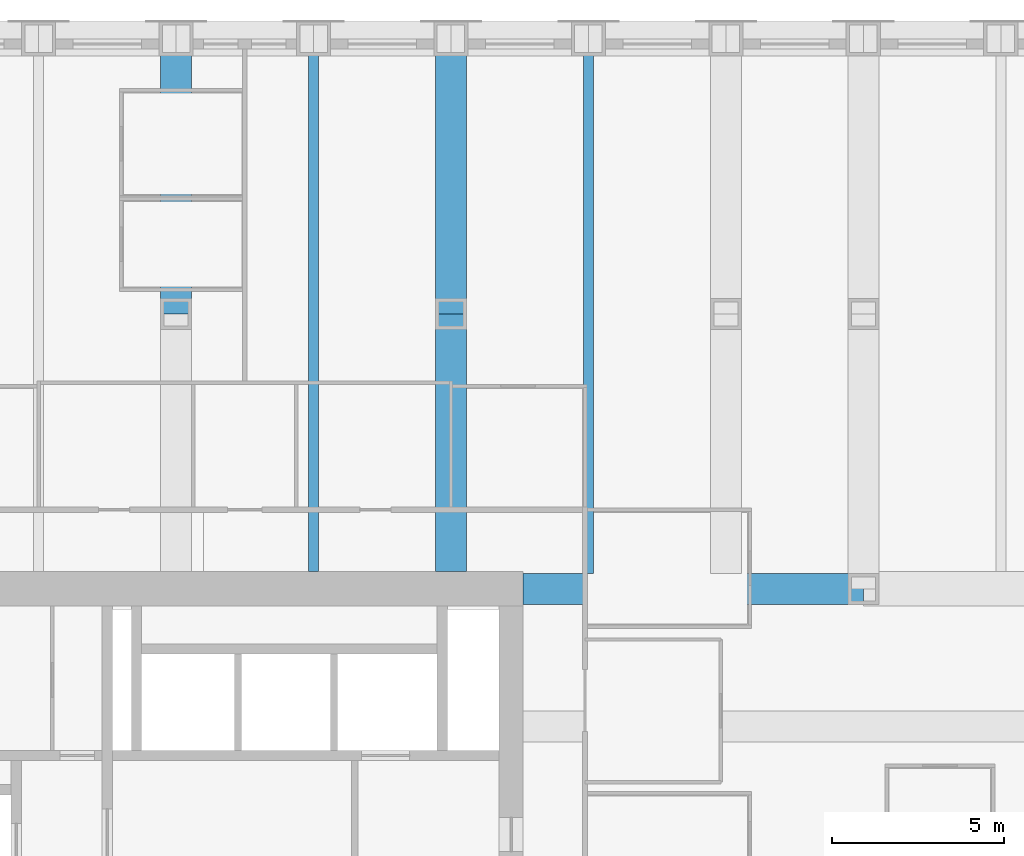
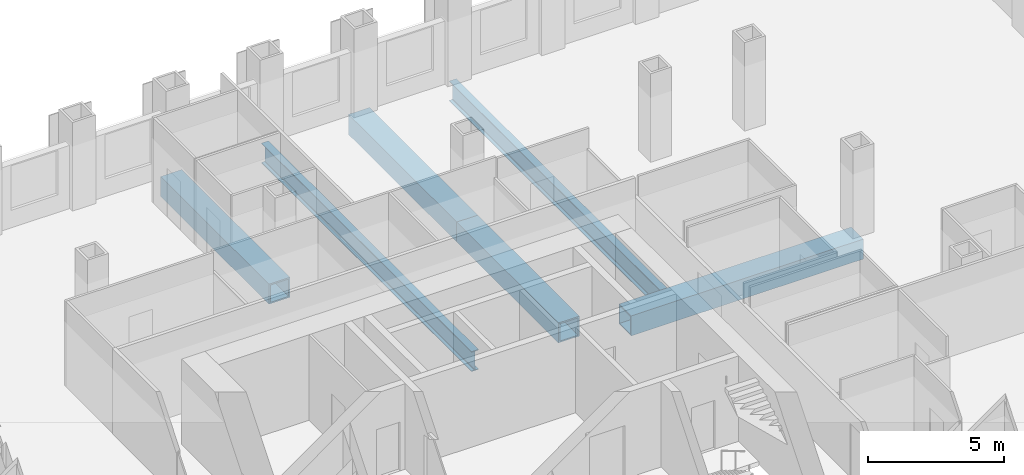
# One storey, part 7 of 16: 6 beams.
"""IFC4 building model written with IfcOpenShell, lengths in metres."""

from ifc_helpers import new_model, si_unit, direction, frame, origin, origin_2d, place, context, subcontext, project, spatial, hollow_rectangle, i_section, extrude, material, material_profile, profile_set, type_object, element, save


model = new_model("IFC4")

# Units and contexts
model_context = context("Model", 3, precision=1e-05, world=origin(), true_north=direction((0.0, 1.0)))
body_context = subcontext(model_context, "Body", "Model", "MODEL_VIEW")
ifc_project = project(units=[si_unit("LENGTHUNIT", "METRE"), si_unit("AREAUNIT", "SQUARE_METRE"), si_unit("VOLUMEUNIT", "CUBIC_METRE"), si_unit("PLANEANGLEUNIT", "RADIAN"), si_unit("MASSUNIT", "GRAM", prefix="KILO")], contexts=[model_context])

# Site, building, storey
site_placement = place(None, origin())
site = spatial("IfcSite", under=ifc_project, at=site_placement, CompositionType="ELEMENT")
building_placement = place(site_placement, origin())
building = spatial("IfcBuilding", under=site, at=building_placement, Name="Rimbunsela Tower", CompositionType="ELEMENT")
storey_placement = place(building_placement, frame((0.0, 0.0, 121.39990234375)))
storey = spatial("IfcBuildingStorey", under=building, at=storey_placement, Name="L29", CompositionType="ELEMENT", Elevation=121.39990234375)

# Beams
ifc_material_1 = material(Name="Steel BJ 55 (fy 410 MPa)", Category="steel")
ifc_material_profile_1 = material_profile(ifc_material_1, hollow_rectangle(XDim=0.89990234375, YDim=0.89990234375, WallThickness=0.06005859375, at=origin_2d()), Name="BOX 900x900x60")
ifc_profile_set_1 = profile_set([ifc_material_profile_1], Name="Steel BJ 55 (fy 410 MPa)")
beam_type_1 = type_object("IfcBeamType", Name="Beam BOX 900x900x60", PredefinedType="BEAM", material=ifc_profile_set_1)
beam_1_placement = place(storey_placement, frame((26.0, 44.0, -0.599853515625), z_axis=(0.0, 1.0, 0.0), x_axis=(-1.0, 0.0, 0.0)))
element("IfcBeam", 1, at=beam_1_placement, inside=storey, type_object=beam_type_1, Name="Beam B1 L29", PredefinedType="BEAM", context=body_context, shape_type="SweptSolid", body=[
    extrude(hollow_rectangle(XDim=0.89990234375, YDim=0.89990234375, WallThickness=0.06005859375, at=origin_2d()), origin(), (0.0, 0.0, 1.0), 8.0),
])
beam_2_placement = place(storey_placement, frame((34.0, 36.5, -0.599853515625), z_axis=(0.0, 1.0, 0.0), x_axis=(-1.0, 0.0, 0.0)))
element("IfcBeam", 2, at=beam_2_placement, inside=storey, type_object=beam_type_1, Name="Beam B1 L29", PredefinedType="BEAM", context=body_context, shape_type="SweptSolid", body=[
    extrude(hollow_rectangle(XDim=0.89990234375, YDim=0.89990234375, WallThickness=0.06005859375, at=origin_2d()), origin(), (0.0, 0.0, 1.0), 7.5),
])
beam_3_placement = place(storey_placement, frame((34.0, 44.0, -0.599853515625), z_axis=(0.0, 1.0, 0.0), x_axis=(-1.0, 0.0, 0.0)))
element("IfcBeam", 3, at=beam_3_placement, inside=storey, type_object=beam_type_1, Name="Beam B1 L29", PredefinedType="BEAM", context=body_context, shape_type="SweptSolid", body=[
    extrude(hollow_rectangle(XDim=0.89990234375, YDim=0.89990234375, WallThickness=0.06005859375, at=origin_2d()), origin(), (0.0, 0.0, 1.0), 8.0),
])
beam_4_placement = place(storey_placement, frame((36.10009765625, 36.0, -0.599853515625), z_axis=(1.0, 0.0, 0.0), x_axis=(0.0, 1.0, 0.0)))
element("IfcBeam", 4, at=beam_4_placement, inside=storey, type_object=beam_type_1, Name="Beam B1 L29", PredefinedType="BEAM", context=body_context, shape_type="SweptSolid", body=[
    extrude(hollow_rectangle(XDim=0.89990234375, YDim=0.89990234375, WallThickness=0.06005859375, at=origin_2d()), origin(), (0.0, 0.0, 1.0), 9.89990234375),
])
ifc_material_2 = material(Name="Steel BJ 55 (fy 410 MPa)", Category="steel")
ifc_material_profile_2 = material_profile(ifc_material_2, i_section(OverallWidth=0.300048828125, OverallDepth=0.89990234375, WebThickness=0.01611328125, FlangeThickness=0.028076171875, FilletRadius=0.028076171875, at=origin_2d()), Name="H 900x300x16x28")
ifc_profile_set_2 = profile_set([ifc_material_profile_2], Name="Steel BJ 55 (fy 410 MPa)")
beam_type_2 = type_object("IfcBeamType", Name="Beam H 900x300x16x28", PredefinedType="BEAM", material=ifc_profile_set_2)
beam_5_placement = place(storey_placement, frame((30.0, 36.5, -0.599853515625), z_axis=(0.0, 1.0, 0.0), x_axis=(-1.0, 0.0, 0.0)))
element("IfcBeam", 5, at=beam_5_placement, inside=storey, type_object=beam_type_2, Name="Beam B2 L29", PredefinedType="BEAM", context=body_context, shape_type="SweptSolid", body=[
    extrude(i_section(OverallWidth=0.300048828125, OverallDepth=0.89990234375, WebThickness=0.01611328125, FlangeThickness=0.028076171875, FilletRadius=0.028076171875, at=origin_2d()), origin(), (0.0, 0.0, 1.0), 15.5),
])
beam_6_placement = place(storey_placement, frame((38.0, 36.449951171875, -0.599853515625), z_axis=(0.0, 1.0, 0.0), x_axis=(-1.0, 0.0, 0.0)))
element("IfcBeam", 6, at=beam_6_placement, inside=storey, type_object=beam_type_2, Name="Beam B2 L29", PredefinedType="BEAM", context=body_context, shape_type="SweptSolid", body=[
    extrude(i_section(OverallWidth=0.300048828125, OverallDepth=0.89990234375, WebThickness=0.01611328125, FlangeThickness=0.028076171875, FilletRadius=0.028076171875, at=origin_2d()), origin(), (0.0, 0.0, 1.0), 15.550048828125),
])

save(model, "model.ifc")
